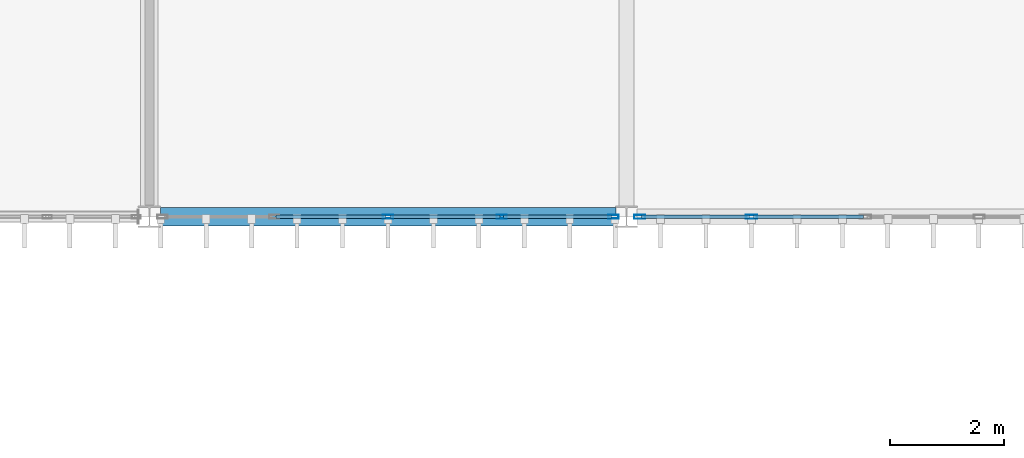
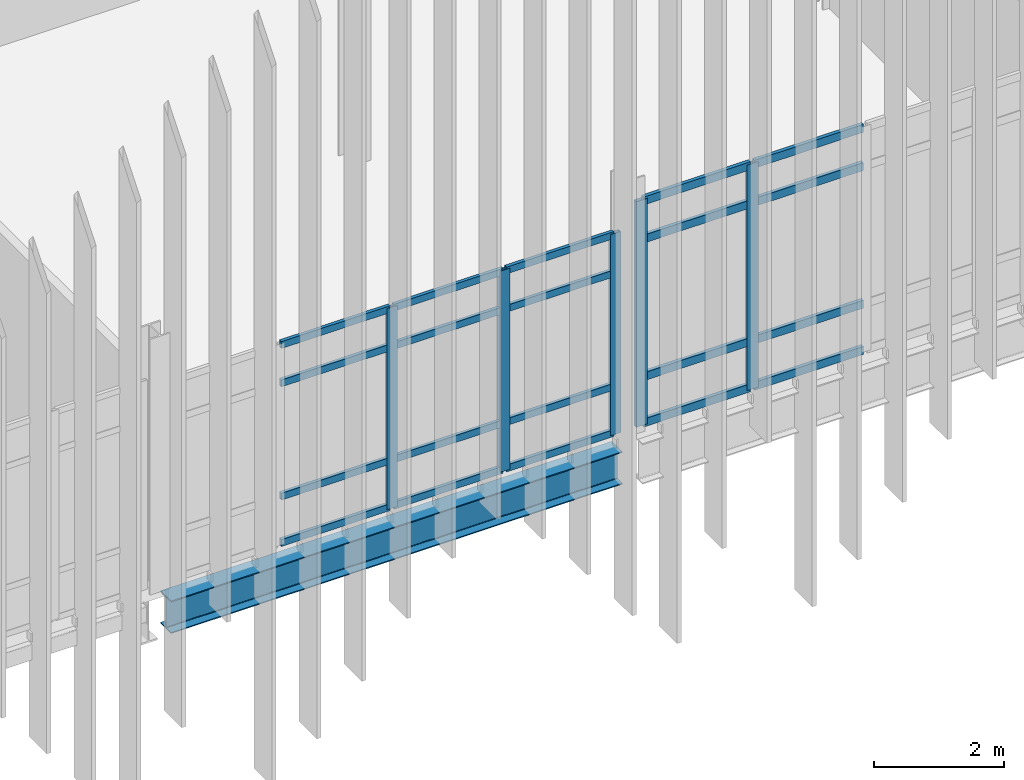
# One storey, part 18 of 153: 25 members, 1 beam, 2 elements without a shape of their own.
"""IFC4 building model written with IfcOpenShell, lengths in metres."""

import ifcopenshell
import ifcopenshell.guid

model = None  # the IFC model being written
_history = None  # IfcOwnerHistory: only IFC2X3 demands one
_inside = {}  # id of a spatial element -> (the spatial element, [elements in it])
_under = {}  # id of a project, library or spatial element -> (it, [spatial elements below it])
_declared = {}  # id of a project -> (the project, [libraries it declares])
_typed = {}  # id of a type object -> (the type object, [elements of that type])
_made_of = {}  # id of a material, layer set ... -> (it, [elements and type objects made of it])


def new_model(schema):
    """Start an empty IFC model of exactly this schema.

    Asked for "IFC4X3", IfcOpenShell would pick the latest addendum, in which some entities
    have other attributes; the version numbers below select the first issue.
    IFC2X3 requires an IfcOwnerHistory on every rooted entity: one is made here for all.
    """
    global model, _history
    if schema == "IFC4X3":
        model = ifcopenshell.file(schema_version=(4, 3, 0, 0))
    else:
        model = ifcopenshell.file(schema=schema)
    _inside.clear()
    _under.clear()
    _declared.clear()
    _typed.clear()
    _made_of.clear()
    _history = None
    if model.schema == "IFC2X3":
        org = make("IfcOrganization", Name="unknown")
        user = make(
            "IfcPersonAndOrganization",
            ThePerson=make("IfcPerson", FamilyName="unknown"),
            TheOrganization=org,
        )
        app = make(
            "IfcApplication",
            ApplicationDeveloper=org,
            Version="unknown",
            ApplicationFullName="unknown",
            ApplicationIdentifier="unknown",
        )
        _history = make(
            "IfcOwnerHistory",
            OwningUser=user,
            OwningApplication=app,
            ChangeAction="ADDED",
            CreationDate=0,
        )
    return model


def make(cls, **values):
    """One entity of the class cls with the attributes given. An attribute that is None is left unset."""
    return model.create_entity(
        cls, **{name: value for name, value in values.items() if value is not None}
    )


def rooted(cls, **values):
    """An entity with a GlobalId (a new one), such as an element, a storey or a relation."""
    return make(cls, GlobalId=ifcopenshell.guid.new(), OwnerHistory=_history, **values)


def si_unit(unit_type, name, prefix=None):
    """IfcSIUnit, for example si_unit("LENGTHUNIT", "METRE", prefix="MILLI")."""
    return make("IfcSIUnit", UnitType=unit_type, Prefix=prefix, Name=name)


def assignment(units):
    """IfcUnitAssignment: the units of a project."""
    return None if units is None else make("IfcUnitAssignment", Units=units)


def point(xyz):
    """IfcCartesianPoint."""
    return None if xyz is None else make("IfcCartesianPoint", Coordinates=xyz)


def direction(xyz):
    """IfcDirection."""
    return None if xyz is None else make("IfcDirection", DirectionRatios=xyz)


def frame(location, z_axis=None, x_axis=None):
    """IfcAxis2Placement3D, a coordinate frame: its origin and axes. An axis left out is left unset."""
    return make(
        "IfcAxis2Placement3D",
        Location=point(location),
        Axis=direction(z_axis),
        RefDirection=direction(x_axis),
    )


def frame_2d(location, x_axis=None):
    """IfcAxis2Placement2D, a coordinate frame in the plane: its origin and x axis."""
    return make(
        "IfcAxis2Placement2D", Location=point(location), RefDirection=direction(x_axis)
    )


def origin():
    """The frame at (0, 0, 0) with its axes left unset."""
    return frame((0.0, 0.0, 0.0))


def origin_2d():
    """The frame at (0, 0) in the plane with its x axis left unset."""
    return frame_2d((0.0, 0.0))


def place(relative_to, where):
    """IfcLocalPlacement: puts the frame where relative to a parent placement (None: the world)."""
    return make(
        "IfcLocalPlacement", PlacementRelTo=relative_to, RelativePlacement=where
    )


def context(
    kind, dimensions, precision=None, world=None, true_north=None, identifier=None
):
    """IfcGeometricRepresentationContext, for example the 3D "Model" context."""
    return make(
        "IfcGeometricRepresentationContext",
        ContextIdentifier=identifier,
        ContextType=kind,
        CoordinateSpaceDimension=dimensions,
        Precision=precision,
        WorldCoordinateSystem=world,
        TrueNorth=true_north,
    )


def subcontext(parent, identifier, kind, view, scale=None):
    """IfcGeometricRepresentationSubContext, for example "Body" below "Model"."""
    return make(
        "IfcGeometricRepresentationSubContext",
        ContextIdentifier=identifier,
        ContextType=kind,
        ParentContext=parent,
        TargetScale=scale,
        TargetView=view,
    )


def project(units=None, contexts=None):
    """IfcProject with its units and contexts."""
    return rooted(
        "IfcProject",
        Name="project",
        RepresentationContexts=contexts,
        UnitsInContext=assignment(units),
    )


def spatial(cls, under=None, at=None, **own):
    """A site, building, storey or space (cls), placed at a placement, below another one or the project."""
    s = rooted(cls, ObjectPlacement=at, **own)
    if under is not None:
        _under.setdefault(under.id(), (under, []))[1].append(s)
    return s


def profile(cls, at=None, kind="AREA", **sizes):
    """A parametric profile (cls). Its sizes go by their IFC names, for example OverallWidth=200.0."""
    return make(cls, ProfileType=kind, Position=at, **sizes)


def hollow_rectangle(**sizes):
    """IfcRectangleHollowProfileDef."""
    return profile("IfcRectangleHollowProfileDef", **sizes)


def i_section(**sizes):
    """IfcIShapeProfileDef."""
    return profile("IfcIShapeProfileDef", **sizes)


def extrude(swept, where, along, depth):
    """IfcExtrudedAreaSolid: the profile swept, set in the frame where, extruded along a direction by depth."""
    return make(
        "IfcExtrudedAreaSolid",
        SweptArea=swept,
        Position=where,
        ExtrudedDirection=direction(along),
        Depth=depth,
    )


def shape(context_of_items, identifier, shape_type, items):
    """IfcShapeRepresentation: the items that make up one representation, for example the "Body"."""
    return make(
        "IfcShapeRepresentation",
        ContextOfItems=context_of_items,
        RepresentationIdentifier=identifier,
        RepresentationType=shape_type,
        Items=items,
    )


def material(Name=None, Category=None):
    """IfcMaterial."""
    return make("IfcMaterial", Name=Name, Category=Category)


def layer(
    of_material, thickness, ventilated=None, Name=None, Category=None, Priority=None
):
    """IfcMaterialLayer: one layer of a wall or slab, of a material (None: an air gap)."""
    return make(
        "IfcMaterialLayer",
        Material=of_material,
        LayerThickness=thickness,
        IsVentilated=ventilated,
        Name=Name,
        Category=Category,
        Priority=Priority,
    )


def layer_set(layers, Name=None):
    """IfcMaterialLayerSet."""
    return make("IfcMaterialLayerSet", MaterialLayers=layers, LayerSetName=Name)


def material_profile(
    of_material, cross_section, Name=None, Category=None, Priority=None
):
    """IfcMaterialProfile: a cross section and its material."""
    return make(
        "IfcMaterialProfile",
        Name=Name,
        Material=of_material,
        Profile=cross_section,
        Priority=Priority,
        Category=Category,
    )


def profile_set(profiles, Name=None, composite=None):
    """IfcMaterialProfileSet."""
    return make(
        "IfcMaterialProfileSet",
        Name=Name,
        MaterialProfiles=profiles,
        CompositeProfile=composite,
    )


def made_of(thing, what):
    """Note that an element or type object is made of a material, layer set ...; save() writes the relation."""
    if what is not None:
        _made_of.setdefault(what.id(), (what, []))[1].append(thing)
    return thing


def type_object(cls, material=None, **own):
    """A type object (cls), such as IfcWallType, which elements share."""
    return made_of(rooted(cls, **own), material)


def element(
    cls,
    number,
    at=None,
    inside=None,
    cuts=None,
    type_object=None,
    material=None,
    context=None,
    identifier="Body",
    shape_type=None,
    held_by="IfcProductDefinitionShape",
    body=None,
    shapes=None,
    **own,
):
    """One element of the class cls, such as IfcWall. Its Tag is "e" and its number.

    at: its placement. inside: the storey or other place that contains it. cuts: it is an
    opening in that element (IfcRelVoidsElement). A single representation is given by context,
    identifier, shape_type and body (its items); several are given by shapes. held_by: the class
    of the entity that holds the representations. save() writes the other relations.
    """
    e = rooted(cls, Tag="e%d" % number, ObjectPlacement=at, **own)
    if body is not None:
        shapes = [shape(context, identifier, shape_type, body)]
    if shapes is not None:
        e.Representation = make(held_by, Representations=shapes)
    if inside is not None:
        _inside.setdefault(inside.id(), (inside, []))[1].append(e)
    if cuts is not None:
        rooted(
            "IfcRelVoidsElement", RelatingBuildingElement=cuts, RelatedOpeningElement=e
        )
    if type_object is not None:
        _typed.setdefault(type_object.id(), (type_object, []))[1].append(e)
    return made_of(e, material)


def aggregate(whole, parts):
    """IfcRelAggregates: a whole, such as a stair, and the parts it consists of."""
    return rooted("IfcRelAggregates", RelatingObject=whole, RelatedObjects=parts)


def save(model, path):
    """Write the relations noted so far, then the file.

    IfcRelAggregates (storeys below a building ...), IfcRelContainedInSpatialStructure (elements
    in a storey), IfcRelDefinesByType, IfcRelAssociatesMaterial and IfcRelDeclares: one each for
    every whole, place, type object, material and project.
    """
    for whole, parts in _under.values():
        aggregate(whole, parts)
    for where, things in _inside.values():
        rooted(
            "IfcRelContainedInSpatialStructure",
            RelatedElements=things,
            RelatingStructure=where,
        )
    for kind, things in _typed.values():
        rooted("IfcRelDefinesByType", RelatedObjects=things, RelatingType=kind)
    for what, things in _made_of.values():
        rooted("IfcRelAssociatesMaterial", RelatedObjects=things, RelatingMaterial=what)
    for by, libraries in _declared.values():
        rooted("IfcRelDeclares", RelatingContext=by, RelatedDefinitions=libraries)
    model.write(path)


model = new_model("IFC4")

# Units and contexts
model_context = context("Model", 3, precision=1e-05, world=origin(), true_north=direction((0.0, 1.0)))
body_context = subcontext(model_context, "Body", "Model", "MODEL_VIEW")
ifc_project = project(units=[si_unit("LENGTHUNIT", "METRE"), si_unit("AREAUNIT", "SQUARE_METRE"), si_unit("VOLUMEUNIT", "CUBIC_METRE"), si_unit("PLANEANGLEUNIT", "RADIAN"), si_unit("MASSUNIT", "GRAM", prefix="KILO")], contexts=[model_context])

# Site, building, storey
site_placement = place(None, origin())
site = spatial("IfcSite", under=ifc_project, at=site_placement, CompositionType="ELEMENT")
building_placement = place(site_placement, origin())
building = spatial("IfcBuilding", under=site, at=building_placement, Name="Calvrana Isthmian Art Gallery", CompositionType="ELEMENT")
storey_placement = place(building_placement, frame((0.0, 0.0, 10.199951171875)))
storey = spatial("IfcBuildingStorey", under=building, at=storey_placement, Name="L02", CompositionType="ELEMENT", Elevation=10.199951171875)

# Beam
ifc_material_1 = material(Name="Steel ASTM A992 Gr 50", Category="steel")
ifc_material_profile_1 = material_profile(ifc_material_1, i_section(OverallWidth=0.324951171875, OverallDepth=0.612060546875, WebThickness=0.0126953125, FlangeThickness=0.01904296875, FilletRadius=0.02197265625, at=origin_2d()), Name="W24X104")
ifc_profile_set_1 = profile_set([ifc_material_profile_1], Name="Steel ASTM A992 Gr 50")
beam_type = type_object("IfcBeamType", Name="BM-G-W24X104", PredefinedType="BEAM", material=ifc_profile_set_1)
beam_placement = place(storey_placement, frame((30.197021484375, 21.60009765625, -0.571044921875), z_axis=(1.0, 0.0, 0.0), x_axis=(0.0, 1.0, 0.0)))
element("IfcBeam", 1, at=beam_placement, inside=storey, type_object=beam_type, Name="Girder X L02 05-06/D", PredefinedType="BEAM", context=body_context, shape_type="SweptSolid", body=[
    extrude(i_section(OverallWidth=0.324951171875, OverallDepth=0.612060546875, WebThickness=0.0126953125, FlangeThickness=0.01904296875, FilletRadius=0.02197265625, at=origin_2d()), origin(), (0.0, 0.0, 1.0), 8.016357421875),
])

# Curtain wall, members
ifc_material_2 = material(Name="Anodized bronze aluminium 6063-T6", Category="aluminium")
ifc_layer_1 = layer(ifc_material_2, 0.179931640625, Name="Anodized bronze aluminium 6063-T6")
ifc_layer_set_1 = layer_set([ifc_layer_1], Name="Anodized bronze aluminium 6063-T6")
curtain_wall_type_1 = type_object("IfcCurtainWallType", Name="CW-UNIT-080X38", PredefinedType="USERDEFINED", material=ifc_layer_set_1)
curtain_wall_1_placement = place(storey_placement, origin())
curtain_wall_1 = element("IfcCurtainWall", 2, at=curtain_wall_1_placement, inside=storey, type_object=curtain_wall_type_1, Name="Curtain wall CW-146", ObjectType="UNITISED CURTAIN WALL", PredefinedType="USERDEFINED")
ifc_material_profile_2 = material_profile(ifc_material_2, hollow_rectangle(XDim=0.06494140625, YDim=0.179931640625, WallThickness=0.00439453125, at=origin_2d()), Name="CWM65X180")
ifc_profile_set_2 = profile_set([ifc_material_profile_2], Name="Anodized bronze aluminium 6063-T6")
member_type_1 = type_object("IfcMemberType", Name="CWM-CWM65X180", PredefinedType="MULLION", material=ifc_profile_set_2)
member_1_placement = place(storey_placement, frame((38.17041015625, 21.60009765625, 0.0), z_axis=(0.0, 0.0, 1.0), x_axis=(0.0, -1.0, 0.0)))
member_1 = element("IfcMember", 3, at=member_1_placement, type_object=member_type_1, Name="CW-146 mullion 1", PredefinedType="MULLION", context=body_context, shape_type="SweptSolid", body=[
    extrude(hollow_rectangle(XDim=0.06494140625, YDim=0.179931640625, WallThickness=0.00439453125, at=origin_2d()), origin(), (0.0, 0.0, 1.0), 3.778076171875),
])
member_2_placement = place(storey_placement, frame((36.20166015625, 21.60009765625, 0.0), z_axis=(0.0, 0.0, 1.0), x_axis=(0.0, -1.0, 0.0)))
member_2 = element("IfcMember", 4, at=member_2_placement, type_object=member_type_1, Name="CW-146 mullion 2", PredefinedType="MULLION", context=body_context, shape_type="SweptSolid", body=[
    extrude(hollow_rectangle(XDim=0.06494140625, YDim=0.179931640625, WallThickness=0.00439453125, at=origin_2d()), origin(), (0.0, 0.0, 1.0), 3.778076171875),
])
member_3_placement = place(storey_placement, frame((34.200439453125, 21.60009765625, 0.0), z_axis=(0.0, 0.0, 1.0), x_axis=(0.0, -1.0, 0.0)))
member_3 = element("IfcMember", 5, at=member_3_placement, type_object=member_type_1, Name="CW-146 mullion 3", PredefinedType="MULLION", context=body_context, shape_type="SweptSolid", body=[
    extrude(hollow_rectangle(XDim=0.06494140625, YDim=0.179931640625, WallThickness=0.00439453125, at=origin_2d()), origin(), (0.0, 0.0, 1.0), 3.778076171875),
])

ifc_layer_2 = layer(ifc_material_2, 0.179931640625, Name="Anodized bronze aluminium 6063-T6")
ifc_layer_set_2 = layer_set([ifc_layer_2], Name="Anodized bronze aluminium 6063-T6")
curtain_wall_type_2 = type_object("IfcCurtainWallType", Name="CW-UNIT-080X42", PredefinedType="USERDEFINED", material=ifc_layer_set_2)
curtain_wall_2_placement = place(storey_placement, origin())
curtain_wall_2 = element("IfcCurtainWall", 6, at=curtain_wall_2_placement, inside=storey, type_object=curtain_wall_type_2, Name="Curtain wall CW-147", ObjectType="UNITISED CURTAIN WALL", PredefinedType="USERDEFINED")
ifc_material_profile_3 = material_profile(ifc_material_2, hollow_rectangle(XDim=0.070068359375, YDim=0.199951171875, WallThickness=0.0048828125, at=origin_2d()), Name="CWM70X200")
ifc_profile_set_3 = profile_set([ifc_material_profile_3], Name="Anodized bronze aluminium 6063-T6")
member_type_2 = type_object("IfcMemberType", Name="CWM-CWM70X200", PredefinedType="MULLION", material=ifc_profile_set_3)
member_4_placement = place(storey_placement, frame((40.60107421875, 21.60009765625, 0.0), z_axis=(0.0, 0.0, 1.0), x_axis=(0.0, -1.0, 0.0)))
member_4 = element("IfcMember", 7, at=member_4_placement, type_object=member_type_2, Name="CW-147 mullion 4", PredefinedType="MULLION", context=body_context, shape_type="SweptSolid", body=[
    extrude(hollow_rectangle(XDim=0.070068359375, YDim=0.199951171875, WallThickness=0.0048828125, at=origin_2d()), origin(), (0.0, 0.0, 1.0), 4.2353515625),
])
member_5_placement = place(storey_placement, frame((38.632080078125, 21.60009765625, 0.0), z_axis=(0.0, 0.0, 1.0), x_axis=(0.0, -1.0, 0.0)))
member_5 = element("IfcMember", 8, at=member_5_placement, type_object=member_type_2, Name="CW-147 mullion 5", PredefinedType="MULLION", context=body_context, shape_type="SweptSolid", body=[
    extrude(hollow_rectangle(XDim=0.070068359375, YDim=0.199951171875, WallThickness=0.0048828125, at=origin_2d()), origin(), (0.0, 0.0, 1.0), 4.2353515625),
])

# Member
ifc_material_profile_4 = material_profile(ifc_material_2, hollow_rectangle(XDim=0.06005859375, YDim=0.1298828125, WallThickness=0.00390625, at=origin_2d()), Name="CWT60X130")
ifc_profile_set_4 = profile_set([ifc_material_profile_4], Name="Anodized bronze aluminium 6063-T6")
member_type_3 = type_object("IfcMemberType", Name="CWT-CWT60X130", PredefinedType="USERDEFINED", material=ifc_profile_set_4)
member_6_placement = place(storey_placement, frame((38.137939453125, 21.60009765625, 0.030029296875), z_axis=(-1.0, 0.0, 0.0), x_axis=(0.0, -1.0, 0.0)))
member_6 = element("IfcMember", 9, at=member_6_placement, type_object=member_type_3, Name="CW-146 transom 1.1", ObjectType="TRANSOM", PredefinedType="USERDEFINED", context=body_context, shape_type="SweptSolid", body=[
    extrude(hollow_rectangle(XDim=0.06005859375, YDim=0.1298828125, WallThickness=0.00390625, at=origin_2d()), origin(), (0.0, 0.0, 1.0), 1.90380859375),
])

member_7_placement = place(storey_placement, frame((38.137939453125, 21.60009765625, 0.900146484375), z_axis=(-1.0, 0.0, 0.0), x_axis=(0.0, -1.0, 0.0)))
member_7 = element("IfcMember", 10, at=member_7_placement, type_object=member_type_3, Name="CW-146 transom 1.2", ObjectType="TRANSOM", PredefinedType="USERDEFINED", context=body_context, shape_type="SweptSolid", body=[
    extrude(hollow_rectangle(XDim=0.06005859375, YDim=0.1298828125, WallThickness=0.00390625, at=origin_2d()), origin(), (0.0, 0.0, 1.0), 1.90380859375),
])

member_8_placement = place(storey_placement, frame((38.137939453125, 21.60009765625, 3.028076171875), z_axis=(-1.0, 0.0, 0.0), x_axis=(0.0, -1.0, 0.0)))
member_8 = element("IfcMember", 11, at=member_8_placement, type_object=member_type_3, Name="CW-146 transom 1.3", ObjectType="TRANSOM", PredefinedType="USERDEFINED", context=body_context, shape_type="SweptSolid", body=[
    extrude(hollow_rectangle(XDim=0.06005859375, YDim=0.1298828125, WallThickness=0.00390625, at=origin_2d()), origin(), (0.0, 0.0, 1.0), 1.90380859375),
])

member_9_placement = place(storey_placement, frame((38.137939453125, 21.60009765625, 3.748046875), z_axis=(-1.0, 0.0, 0.0), x_axis=(0.0, -1.0, 0.0)))
member_9 = element("IfcMember", 12, at=member_9_placement, type_object=member_type_3, Name="CW-146 transom 1.4", ObjectType="TRANSOM", PredefinedType="USERDEFINED", context=body_context, shape_type="SweptSolid", body=[
    extrude(hollow_rectangle(XDim=0.06005859375, YDim=0.1298828125, WallThickness=0.00390625, at=origin_2d()), origin(), (0.0, 0.0, 1.0), 1.90380859375),
])

member_10_placement = place(storey_placement, frame((36.169189453125, 21.60009765625, 0.030029296875), z_axis=(-1.0, 0.0, 0.0), x_axis=(0.0, -1.0, 0.0)))
member_10 = element("IfcMember", 13, at=member_10_placement, type_object=member_type_3, Name="CW-146 transom 2.1", ObjectType="TRANSOM", PredefinedType="USERDEFINED", context=body_context, shape_type="SweptSolid", body=[
    extrude(hollow_rectangle(XDim=0.06005859375, YDim=0.1298828125, WallThickness=0.00390625, at=origin_2d()), origin(), (0.0, 0.0, 1.0), 1.936279296875),
])

member_11_placement = place(storey_placement, frame((36.169189453125, 21.60009765625, 0.900146484375), z_axis=(-1.0, 0.0, 0.0), x_axis=(0.0, -1.0, 0.0)))
member_11 = element("IfcMember", 14, at=member_11_placement, type_object=member_type_3, Name="CW-146 transom 2.2", ObjectType="TRANSOM", PredefinedType="USERDEFINED", context=body_context, shape_type="SweptSolid", body=[
    extrude(hollow_rectangle(XDim=0.06005859375, YDim=0.1298828125, WallThickness=0.00390625, at=origin_2d()), origin(), (0.0, 0.0, 1.0), 1.936279296875),
])

member_12_placement = place(storey_placement, frame((36.169189453125, 21.60009765625, 3.028076171875), z_axis=(-1.0, 0.0, 0.0), x_axis=(0.0, -1.0, 0.0)))
member_12 = element("IfcMember", 15, at=member_12_placement, type_object=member_type_3, Name="CW-146 transom 2.3", ObjectType="TRANSOM", PredefinedType="USERDEFINED", context=body_context, shape_type="SweptSolid", body=[
    extrude(hollow_rectangle(XDim=0.06005859375, YDim=0.1298828125, WallThickness=0.00390625, at=origin_2d()), origin(), (0.0, 0.0, 1.0), 1.936279296875),
])

member_13_placement = place(storey_placement, frame((36.169189453125, 21.60009765625, 3.748046875), z_axis=(-1.0, 0.0, 0.0), x_axis=(0.0, -1.0, 0.0)))
member_13 = element("IfcMember", 16, at=member_13_placement, type_object=member_type_3, Name="CW-146 transom 2.4", ObjectType="TRANSOM", PredefinedType="USERDEFINED", context=body_context, shape_type="SweptSolid", body=[
    extrude(hollow_rectangle(XDim=0.06005859375, YDim=0.1298828125, WallThickness=0.00390625, at=origin_2d()), origin(), (0.0, 0.0, 1.0), 1.936279296875),
])

member_14_placement = place(storey_placement, frame((34.16796875, 21.60009765625, 0.030029296875), z_axis=(-1.0, 0.0, 0.0), x_axis=(0.0, -1.0, 0.0)))
member_14 = element("IfcMember", 17, at=member_14_placement, type_object=member_type_3, Name="CW-146 transom 3.1", ObjectType="TRANSOM", PredefinedType="USERDEFINED", context=body_context, shape_type="SweptSolid", body=[
    extrude(hollow_rectangle(XDim=0.06005859375, YDim=0.1298828125, WallThickness=0.00390625, at=origin_2d()), origin(), (0.0, 0.0, 1.0), 1.936279296875),
])

member_15_placement = place(storey_placement, frame((34.16796875, 21.60009765625, 0.900146484375), z_axis=(-1.0, 0.0, 0.0), x_axis=(0.0, -1.0, 0.0)))
member_15 = element("IfcMember", 18, at=member_15_placement, type_object=member_type_3, Name="CW-146 transom 3.2", ObjectType="TRANSOM", PredefinedType="USERDEFINED", context=body_context, shape_type="SweptSolid", body=[
    extrude(hollow_rectangle(XDim=0.06005859375, YDim=0.1298828125, WallThickness=0.00390625, at=origin_2d()), origin(), (0.0, 0.0, 1.0), 1.936279296875),
])

member_16_placement = place(storey_placement, frame((34.16796875, 21.60009765625, 3.028076171875), z_axis=(-1.0, 0.0, 0.0), x_axis=(0.0, -1.0, 0.0)))
member_16 = element("IfcMember", 19, at=member_16_placement, type_object=member_type_3, Name="CW-146 transom 3.3", ObjectType="TRANSOM", PredefinedType="USERDEFINED", context=body_context, shape_type="SweptSolid", body=[
    extrude(hollow_rectangle(XDim=0.06005859375, YDim=0.1298828125, WallThickness=0.00390625, at=origin_2d()), origin(), (0.0, 0.0, 1.0), 1.936279296875),
])

member_17_placement = place(storey_placement, frame((34.16796875, 21.60009765625, 3.748046875), z_axis=(-1.0, 0.0, 0.0), x_axis=(0.0, -1.0, 0.0)))
member_17 = element("IfcMember", 20, at=member_17_placement, type_object=member_type_3, Name="CW-146 transom 3.4", ObjectType="TRANSOM", PredefinedType="USERDEFINED", context=body_context, shape_type="SweptSolid", body=[
    extrude(hollow_rectangle(XDim=0.06005859375, YDim=0.1298828125, WallThickness=0.00390625, at=origin_2d()), origin(), (0.0, 0.0, 1.0), 1.936279296875),
])

aggregate(curtain_wall_1, [member_1, member_2, member_3, member_6, member_7, member_8, member_9, member_10, member_11, member_12, member_13, member_14, member_15, member_16, member_17])

ifc_material_profile_5 = material_profile(ifc_material_2, hollow_rectangle(XDim=0.06494140625, YDim=0.14990234375, WallThickness=0.00390625, at=origin_2d()), Name="CWT65X150")
ifc_profile_set_5 = profile_set([ifc_material_profile_5], Name="Anodized bronze aluminium 6063-T6")
member_type_4 = type_object("IfcMemberType", Name="CWT-CWT65X150", PredefinedType="USERDEFINED", material=ifc_profile_set_5)
member_18_placement = place(storey_placement, frame((42.5703125, 21.60009765625, 0.032470703125), z_axis=(-1.0, 0.0, 0.0), x_axis=(0.0, -1.0, 0.0)))
member_18 = element("IfcMember", 21, at=member_18_placement, type_object=member_type_4, Name="CW-147 transom 3.1", ObjectType="TRANSOM", PredefinedType="USERDEFINED", context=body_context, shape_type="SweptSolid", body=[
    extrude(hollow_rectangle(XDim=0.06494140625, YDim=0.14990234375, WallThickness=0.00390625, at=origin_2d()), origin(), (0.0, 0.0, 1.0), 1.93408203125),
])

member_19_placement = place(storey_placement, frame((42.5703125, 21.60009765625, 0.900146484375), z_axis=(-1.0, 0.0, 0.0), x_axis=(0.0, -1.0, 0.0)))
member_19 = element("IfcMember", 22, at=member_19_placement, type_object=member_type_4, Name="CW-147 transom 3.2", ObjectType="TRANSOM", PredefinedType="USERDEFINED", context=body_context, shape_type="SweptSolid", body=[
    extrude(hollow_rectangle(XDim=0.06494140625, YDim=0.14990234375, WallThickness=0.00390625, at=origin_2d()), origin(), (0.0, 0.0, 1.0), 1.93408203125),
])

member_20_placement = place(storey_placement, frame((42.5703125, 21.60009765625, 3.4853515625), z_axis=(-1.0, 0.0, 0.0), x_axis=(0.0, -1.0, 0.0)))
member_20 = element("IfcMember", 23, at=member_20_placement, type_object=member_type_4, Name="CW-147 transom 3.3", ObjectType="TRANSOM", PredefinedType="USERDEFINED", context=body_context, shape_type="SweptSolid", body=[
    extrude(hollow_rectangle(XDim=0.06494140625, YDim=0.14990234375, WallThickness=0.00390625, at=origin_2d()), origin(), (0.0, 0.0, 1.0), 1.93408203125),
])

member_21_placement = place(storey_placement, frame((42.5703125, 21.60009765625, 4.20263671875), z_axis=(-1.0, 0.0, 0.0), x_axis=(0.0, -1.0, 0.0)))
member_21 = element("IfcMember", 24, at=member_21_placement, type_object=member_type_4, Name="CW-147 transom 3.4", ObjectType="TRANSOM", PredefinedType="USERDEFINED", context=body_context, shape_type="SweptSolid", body=[
    extrude(hollow_rectangle(XDim=0.06494140625, YDim=0.14990234375, WallThickness=0.00390625, at=origin_2d()), origin(), (0.0, 0.0, 1.0), 1.93408203125),
])

member_22_placement = place(storey_placement, frame((40.566162109375, 21.60009765625, 0.032470703125), z_axis=(-1.0, 0.0, 0.0), x_axis=(0.0, -1.0, 0.0)))
member_22 = element("IfcMember", 25, at=member_22_placement, type_object=member_type_4, Name="CW-147 transom 4.1", ObjectType="TRANSOM", PredefinedType="USERDEFINED", context=body_context, shape_type="SweptSolid", body=[
    extrude(hollow_rectangle(XDim=0.06494140625, YDim=0.14990234375, WallThickness=0.00390625, at=origin_2d()), origin(), (0.0, 0.0, 1.0), 1.899169921875),
])

member_23_placement = place(storey_placement, frame((40.566162109375, 21.60009765625, 0.900146484375), z_axis=(-1.0, 0.0, 0.0), x_axis=(0.0, -1.0, 0.0)))
member_23 = element("IfcMember", 26, at=member_23_placement, type_object=member_type_4, Name="CW-147 transom 4.2", ObjectType="TRANSOM", PredefinedType="USERDEFINED", context=body_context, shape_type="SweptSolid", body=[
    extrude(hollow_rectangle(XDim=0.06494140625, YDim=0.14990234375, WallThickness=0.00390625, at=origin_2d()), origin(), (0.0, 0.0, 1.0), 1.899169921875),
])

member_24_placement = place(storey_placement, frame((40.566162109375, 21.60009765625, 3.4853515625), z_axis=(-1.0, 0.0, 0.0), x_axis=(0.0, -1.0, 0.0)))
member_24 = element("IfcMember", 27, at=member_24_placement, type_object=member_type_4, Name="CW-147 transom 4.3", ObjectType="TRANSOM", PredefinedType="USERDEFINED", context=body_context, shape_type="SweptSolid", body=[
    extrude(hollow_rectangle(XDim=0.06494140625, YDim=0.14990234375, WallThickness=0.00390625, at=origin_2d()), origin(), (0.0, 0.0, 1.0), 1.899169921875),
])

member_25_placement = place(storey_placement, frame((40.566162109375, 21.60009765625, 4.20263671875), z_axis=(-1.0, 0.0, 0.0), x_axis=(0.0, -1.0, 0.0)))
member_25 = element("IfcMember", 28, at=member_25_placement, type_object=member_type_4, Name="CW-147 transom 4.4", ObjectType="TRANSOM", PredefinedType="USERDEFINED", context=body_context, shape_type="SweptSolid", body=[
    extrude(hollow_rectangle(XDim=0.06494140625, YDim=0.14990234375, WallThickness=0.00390625, at=origin_2d()), origin(), (0.0, 0.0, 1.0), 1.899169921875),
])

aggregate(curtain_wall_2, [member_4, member_5, member_18, member_19, member_20, member_21, member_22, member_23, member_24, member_25])

save(model, "model.ifc")
